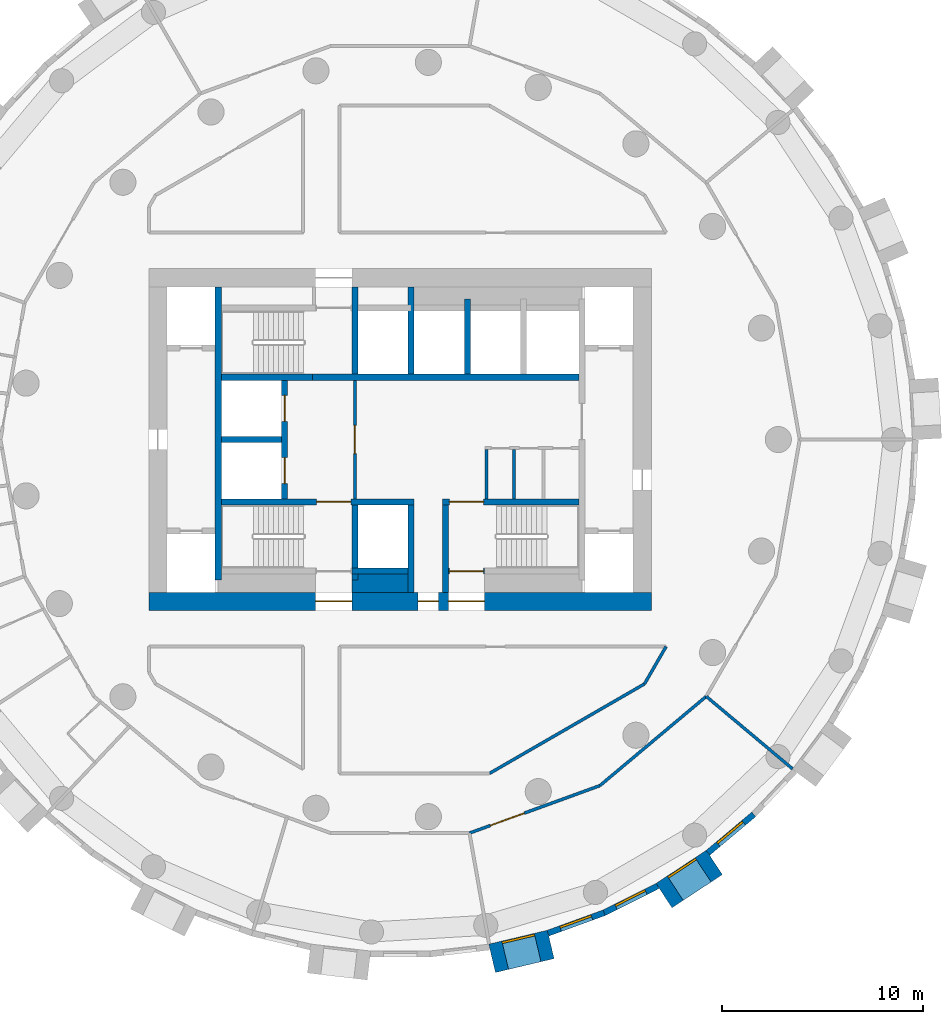
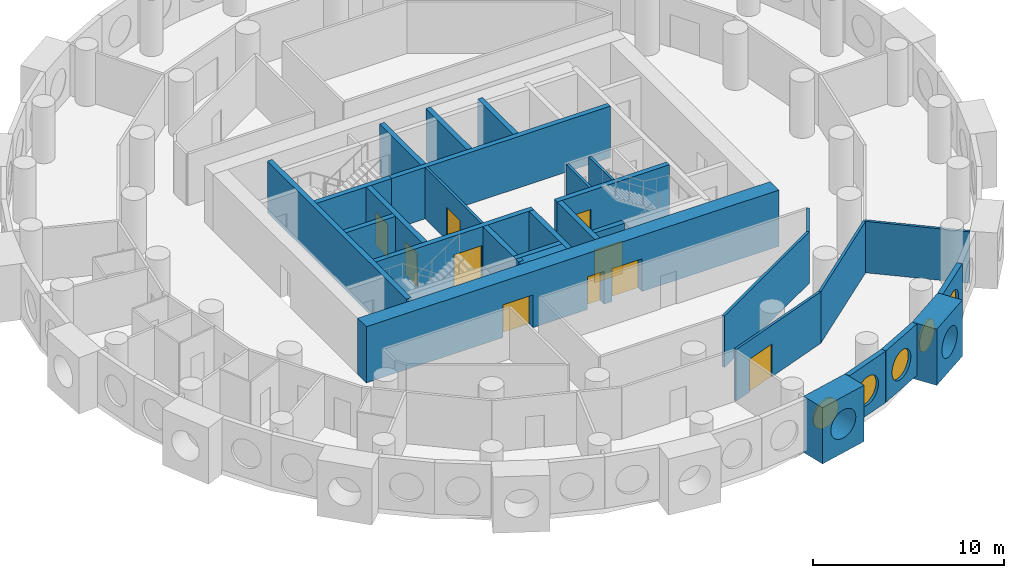
# One storey, part 4 of 9: 30 walls, 10 doors, 5 windows, 15 openings.
"""IFC4 building model written with IfcOpenShell, lengths in metres."""

from ifc_helpers import new_model, si_unit, direction, frame, frame_2d, origin, origin_2d, place, context, subcontext, project, spatial, rectangle, circle, extrude, material, layer, layer_set, type_object, element, fill, save


model = new_model("IFC4")

# Units and contexts
model_context = context("Model", 3, precision=1e-05, world=origin(), true_north=direction((0.0, 1.0)))
body_context = subcontext(model_context, "Body", "Model", "MODEL_VIEW")
ifc_project = project(units=[si_unit("LENGTHUNIT", "METRE"), si_unit("AREAUNIT", "SQUARE_METRE"), si_unit("VOLUMEUNIT", "CUBIC_METRE"), si_unit("PLANEANGLEUNIT", "RADIAN"), si_unit("MASSUNIT", "GRAM", prefix="KILO")], contexts=[model_context])

# Site, building, storey
site_placement = place(None, origin())
site = spatial("IfcSite", under=ifc_project, at=site_placement, CompositionType="ELEMENT")
building_placement = place(site_placement, origin())
building = spatial("IfcBuilding", under=site, at=building_placement, Name="Tracery Tower", CompositionType="ELEMENT")
storey_placement = place(building_placement, frame((0.0, 0.0, 201.60009765625)))
storey = spatial("IfcBuildingStorey", under=building, at=storey_placement, Name="L52", CompositionType="ELEMENT", Elevation=201.60009765625)

# Wall, opening, door
ifc_material_1 = material(Name="Plasterboard on steel studs", Category="steel")
ifc_layer_1 = layer(ifc_material_1, 0.14990234375)
ifc_layer_set_1 = layer_set([ifc_layer_1], Name="Core lobby partition 150")
wall_type_1 = type_object("IfcWallType", Name="Core lobby partition 150", PredefinedType="SOLIDWALL", material=ifc_layer_set_1)
wall_1_placement = place(storey_placement, frame((-2.25, -2.949951171875, 0.0), z_axis=(0.0, 0.0, 1.0), x_axis=(0.0, 1.0, 0.0)))
wall_1 = element("IfcWall", 1, at=wall_1_placement, inside=storey, type_object=wall_type_1, Name="L52 FF lobby E", PredefinedType="SOLIDWALL", context=body_context, shape_type="SweptSolid", body=[
    extrude(rectangle(XDim=5.89990234375, YDim=0.14990234375, at=frame_2d((2.949951171875, 0.0))), origin(), (0.0, 0.0, 1.0), 3.2998046875),
])
opening_1_placement = place(wall_1_placement, frame((2.25, 0.0, 0.0)))
opening_1 = element("IfcOpeningElement", 2, at=opening_1_placement, cuts=wall_1, Name="Opening KD8", PredefinedType="OPENING", context=body_context, shape_type="SweptSolid", body=[
    extrude(rectangle(XDim=1.39990234375, YDim=2.10009765625, at=frame_2d((0.699951171875, 1.050048828125))), frame((0.0, 0.074951171875, 0.0), z_axis=(0.0, -1.0, 0.0), x_axis=(1.0, 0.0, 0.0)), (0.0, 0.0, 1.0), 0.14990234375),
])
ifc_material_2 = material(Name="Steel fire door", Category="steel")
door_type_1 = type_object("IfcDoorType", Name="Core lobby door 1400 double", OperationType="NOTDEFINED", PredefinedType="DOOR", material=ifc_material_2)
door_1_placement = place(opening_1_placement, origin())
door_1 = element("IfcDoor", 3, at=door_1_placement, inside=storey, type_object=door_type_1, Name="Fire-fighting lobby door", OperationType="DOUBLE_DOOR_SINGLE_SWING", OverallHeight=2.10009765625, OverallWidth=1.39990234375, PredefinedType="DOOR", context=body_context, shape_type="SweptSolid", body=[
    extrude(rectangle(XDim=1.39990234375, YDim=2.10009765625, at=frame_2d((0.699951171875, 1.050048828125))), frame((0.0, 0.02490234375, 0.0), z_axis=(0.0, -1.0, 0.0), x_axis=(1.0, 0.0, 0.0)), (0.0, 0.0, 1.0), 0.050048828125),
])
fill(opening_1, door_1)

# Walls
ifc_material_3 = material(Name="Plasterboard on steel studs", Category="steel")
ifc_layer_2 = layer(ifc_material_3, 0.14990234375)
ifc_layer_set_2 = layer_set([ifc_layer_2], Name="Core room partition 150")
wall_type_2 = type_object("IfcWallType", Name="Core room partition 150", PredefinedType="SOLIDWALL", material=ifc_layer_set_2)
for number, where, z_axis, x_axis, name in (
    (4, (4.300048828125, -2.949951171875, 0.0), (0.0, 0.0, 1.0), (0.0, 1.0, 0.0), "L52 slot W"),
    (5, (5.675048828125, -2.949951171875, 0.0), (0.0, 0.0, 1.0), (0.0, 1.0, 0.0), "L52 slot sep 1"),
):
    element("IfcWall", number, at=place(storey_placement, frame(where, z_axis=z_axis, x_axis=x_axis)), inside=storey, type_object=wall_type_2, Name=name, PredefinedType="SOLIDWALL", context=body_context, shape_type="SweptSolid", body=[
        extrude(rectangle(XDim=2.449951171875, YDim=0.14990234375, at=frame_2d((1.22509765625, 0.0))), origin(), (0.0, 0.0, 1.0), 3.2998046875),
    ])
ifc_material_4 = material(Name="Concrete C50/60", Category="concrete")
ifc_layer_3 = layer(ifc_material_4, 0.89990234375)
ifc_layer_set_3 = layer_set([ifc_layer_3], Name="Core strip wall 900 C50")
wall_type_3 = type_object("IfcWallType", Name="Core strip wall 900 C50", PredefinedType="SOLIDWALL", material=ifc_layer_set_3)
wall_2_placement = place(storey_placement, frame((-2.39990234375, -7.14990234375, 0.0), z_axis=(0.0, 0.0, 1.0), x_axis=(1.0, 0.0, 0.0)))
element("IfcWall", 6, at=wall_2_placement, inside=storey, type_object=wall_type_3, Name="L52 F thick S mid", PredefinedType="SOLIDWALL", context=body_context, shape_type="SweptSolid", body=[
    extrude(rectangle(XDim=2.7998046875, YDim=0.89990234375, at=frame_2d((1.39990234375, 0.0))), origin(), (0.0, 0.0, 1.0), 3.2998046875),
])

# Wall, openings, doors
ifc_material_5 = material(Name="Concrete C50/60", Category="concrete")
ifc_layer_4 = layer(ifc_material_5, 0.89990234375)
ifc_layer_set_4 = layer_set([ifc_layer_4], Name="Core wall 900 C50")
wall_type_4 = type_object("IfcWallType", Name="Core wall 900 C50", PredefinedType="SOLIDWALL", material=ifc_layer_set_4)
wall_3_placement = place(storey_placement, frame((-12.5, -8.050048828125, 0.0), z_axis=(0.0, 0.0, 1.0), x_axis=(1.0, 0.0, 0.0)))
wall_3 = element("IfcWall", 7, at=wall_3_placement, inside=storey, type_object=wall_type_4, Name="L52 outer S", PredefinedType="SOLIDWALL", context=body_context, shape_type="SweptSolid", body=[
    extrude(rectangle(XDim=25.0, YDim=0.89990234375, at=frame_2d((12.5, 0.0))), origin(), (0.0, 0.0, 1.0), 3.599853515625),
])
opening_2_placement = place(wall_3_placement, frame((13.39990234375, 0.0, 0.0)))
opening_2 = element("IfcOpeningElement", 8, at=opening_2_placement, cuts=wall_3, Name="Opening KD16", PredefinedType="OPENING", context=body_context, shape_type="SweptSolid", body=[
    extrude(rectangle(XDim=1.0, YDim=2.10009765625, at=frame_2d((0.5, 1.050048828125))), frame((0.0, 0.449951171875, 0.0), z_axis=(0.0, -1.0, 0.0), x_axis=(1.0, 0.0, 0.0)), (0.0, 0.0, 1.0), 0.89990234375),
])
opening_3_placement = place(wall_3_placement, frame((8.300048828125, 0.0, 0.0)))
opening_3 = element("IfcOpeningElement", 9, at=opening_3_placement, cuts=wall_3, Name="Opening KD13", PredefinedType="OPENING", context=body_context, shape_type="SweptSolid", body=[
    extrude(rectangle(XDim=1.800048828125, YDim=2.10009765625, at=frame_2d((0.89990234375, 1.050048828125))), frame((0.0, 0.449951171875, 0.0), z_axis=(0.0, -1.0, 0.0), x_axis=(1.0, 0.0, 0.0)), (0.0, 0.0, 1.0), 0.89990234375),
])
opening_4_placement = place(wall_3_placement, frame((14.89990234375, 0.0, 0.0)))
opening_4 = element("IfcOpeningElement", 10, at=opening_4_placement, cuts=wall_3, Name="Opening KD13", PredefinedType="OPENING", context=body_context, shape_type="SweptSolid", body=[
    extrude(rectangle(XDim=1.800048828125, YDim=2.10009765625, at=frame_2d((0.89990234375, 1.050048828125))), frame((0.0, 0.449951171875, 0.0), z_axis=(0.0, -1.0, 0.0), x_axis=(1.0, 0.0, 0.0)), (0.0, 0.0, 1.0), 0.89990234375),
])
ifc_material_6 = material(Name="Steel fire door", Category="steel")
door_type_2 = type_object("IfcDoorType", Name="Core exit door 1000", OperationType="NOTDEFINED", PredefinedType="DOOR", material=ifc_material_6)
door_2_placement = place(opening_2_placement, origin())
door_2 = element("IfcDoor", 11, at=door_2_placement, inside=storey, type_object=door_type_2, Name="Core exit door", OperationType="SINGLE_SWING_LEFT", OverallHeight=2.10009765625, OverallWidth=1.0, PredefinedType="DOOR", context=body_context, shape_type="SweptSolid", body=[
    extrude(rectangle(XDim=1.0, YDim=2.10009765625, at=frame_2d((0.5, 1.050048828125))), frame((0.0, 0.02490234375, 0.0), z_axis=(0.0, -1.0, 0.0), x_axis=(1.0, 0.0, 0.0)), (0.0, 0.0, 1.0), 0.050048828125),
])
fill(opening_2, door_2)
ifc_material_7 = material(Name="Steel fire door", Category="steel")
door_type_3 = type_object("IfcDoorType", Name="Core exit door 1800 double", OperationType="NOTDEFINED", PredefinedType="DOOR", material=ifc_material_7)
door_3_placement = place(opening_3_placement, origin())
door_3 = element("IfcDoor", 12, at=door_3_placement, inside=storey, type_object=door_type_3, Name="Core exit door", OperationType="DOUBLE_DOOR_SINGLE_SWING", OverallHeight=2.10009765625, OverallWidth=1.800048828125, PredefinedType="DOOR", context=body_context, shape_type="SweptSolid", body=[
    extrude(rectangle(XDim=1.800048828125, YDim=2.10009765625, at=frame_2d((0.89990234375, 1.050048828125))), frame((0.0, 0.02490234375, 0.0), z_axis=(0.0, -1.0, 0.0), x_axis=(1.0, 0.0, 0.0)), (0.0, 0.0, 1.0), 0.050048828125),
])
fill(opening_3, door_3)
door_4_placement = place(opening_4_placement, origin())
door_4 = element("IfcDoor", 13, at=door_4_placement, inside=storey, type_object=door_type_3, Name="Core exit door", OperationType="DOUBLE_DOOR_SINGLE_SWING", OverallHeight=2.10009765625, OverallWidth=1.800048828125, PredefinedType="DOOR", context=body_context, shape_type="SweptSolid", body=[
    extrude(rectangle(XDim=1.800048828125, YDim=2.10009765625, at=frame_2d((0.89990234375, 1.050048828125))), frame((0.0, 0.02490234375, 0.0), z_axis=(0.0, -1.0, 0.0), x_axis=(1.0, 0.0, 0.0)), (0.0, 0.0, 1.0), 0.050048828125),
])
fill(opening_4, door_4)

# Wall, opening, window
ifc_material_8 = material(Name="Precast concrete C50/60", Category="concrete")
ifc_layer_5 = layer(ifc_material_8, 1.449951171875)
ifc_layer_set_5 = layer_set([ifc_layer_5], Name="Deep-set bay unit 3000 x 3600, slab edge 300")
wall_type_5 = type_object("IfcWallType", Name="Deep-set bay unit 3000 x 3600, slab edge 300", PredefinedType="ELEMENTEDWALL", material=ifc_layer_set_5)
wall_4_placement = place(storey_placement, frame((4.57763671875, -25.8193359375, -0.300048828125), z_axis=(0.0, 0.0, 1.0), x_axis=(0.973042333261, 0.23062657627, 0.0)))
wall_4 = element("IfcWall", 14, at=wall_4_placement, inside=storey, type_object=wall_type_5, Name="Deep-set bay unit 43 at L52", PredefinedType="ELEMENTEDWALL", context=body_context, shape_type="SweptSolid", body=[
    extrude(rectangle(XDim=3.0, YDim=1.449951171875, at=frame_2d((1.5, 0.0))), origin(), (0.0, 0.0, 1.0), 3.599853515625),
])
opening_5_placement = place(wall_4_placement, frame((1.5, 0.0, 1.85009765625)))
opening_5 = element("IfcOpeningElement", 15, at=opening_5_placement, cuts=wall_4, Name="Opening WN1", PredefinedType="OPENING", context=body_context, shape_type="SweptSolid", body=[
    extrude(circle(Radius=0.9000244140625, at=origin_2d()), frame((0.0, 0.73486328125, 0.0), z_axis=(0.0, -1.0, 0.0), x_axis=(1.0, 0.0, 0.0)), (0.0, 0.0, 1.0), 1.469970703125),
])
ifc_material_9 = material(Name="Aluminium frame with tinted double glazing", Category="aluminium")
window_type = type_object("IfcWindowType", Name="Round window 1800", PartitioningType="SINGLE_PANEL", PredefinedType="WINDOW", material=ifc_material_9)
window_1_placement = place(opening_5_placement, origin())
window_1 = element("IfcWindow", 16, at=window_1_placement, inside=storey, type_object=window_type, Name="Round window 43 at L52", OverallHeight=1.800048828125, OverallWidth=1.800048828125, PartitioningType="SINGLE_PANEL", PredefinedType="WINDOW", context=body_context, shape_type="SweptSolid", body=[
    extrude(circle(Radius=0.9000244140625, at=origin_2d()), frame((0.0, 0.69482421875, 0.0), z_axis=(0.0, -1.0, 0.0), x_axis=(1.0, 0.0, 0.0)), (0.0, 0.0, 1.0), 0.10009765625),
])
fill(opening_5, window_1)

wall_5_placement = place(storey_placement, frame((13.13232421875, -22.696533203125, -0.300048828125), z_axis=(0.0, 0.0, 1.0), x_axis=(0.835514416706, 0.549468524554, 0.0)))
wall_5 = element("IfcWall", 17, at=wall_5_placement, inside=storey, type_object=wall_type_5, Name="Deep-set bay unit 46 at L52", PredefinedType="ELEMENTEDWALL", context=body_context, shape_type="SweptSolid", body=[
    extrude(rectangle(XDim=3.0, YDim=1.449951171875, at=frame_2d((1.5, 0.0))), origin(), (0.0, 0.0, 1.0), 3.599853515625),
])
opening_6_placement = place(wall_5_placement, frame((1.5, 0.0, 1.85009765625)))
opening_6 = element("IfcOpeningElement", 18, at=opening_6_placement, cuts=wall_5, Name="Opening WN1", PredefinedType="OPENING", context=body_context, shape_type="SweptSolid", body=[
    extrude(circle(Radius=0.9000244140625, at=origin_2d()), frame((0.0, 0.73486328125, 0.0), z_axis=(0.0, -1.0, 0.0), x_axis=(1.0, 0.0, 0.0)), (0.0, 0.0, 1.0), 1.469970703125),
])
window_2_placement = place(opening_6_placement, origin())
window_2 = element("IfcWindow", 19, at=window_2_placement, inside=storey, type_object=window_type, Name="Round window 46 at L52", OverallHeight=1.800048828125, OverallWidth=1.800048828125, PartitioningType="SINGLE_PANEL", PredefinedType="WINDOW", context=body_context, shape_type="SweptSolid", body=[
    extrude(circle(Radius=0.9000244140625, at=origin_2d()), frame((0.0, 0.69482421875, 0.0), z_axis=(0.0, -1.0, 0.0), x_axis=(1.0, 0.0, 0.0)), (0.0, 0.0, 1.0), 0.10009765625),
])
fill(opening_6, window_2)

ifc_material_10 = material(Name="Precast concrete C50/60", Category="concrete")
ifc_layer_6 = layer(ifc_material_10, 0.300048828125)
ifc_layer_set_6 = layer_set([ifc_layer_6], Name="Facade panel 3000 x 3300")
wall_type_6 = type_object("IfcWallType", Name="Facade panel 3000 x 3300", PredefinedType="SOLIDWALL", material=ifc_layer_set_6)
wall_6_placement = place(storey_placement, frame((7.36474609375, -24.566650390625, 0.0), z_axis=(0.0, 0.0, 1.0), x_axis=(0.939690282133, 0.342026568652, 0.0)))
wall_6 = element("IfcWall", 20, at=wall_6_placement, inside=storey, type_object=wall_type_6, Name="Facade panel 44 at L52", PredefinedType="SOLIDWALL", context=body_context, shape_type="SweptSolid", body=[
    extrude(rectangle(XDim=2.972900390625, YDim=0.300048828125, at=frame_2d((1.486328125, 0.0))), origin(), (0.0, 0.0, 1.0), 3.2998046875),
])
opening_7_placement = place(wall_6_placement, frame((1.486328125, 0.0, 1.5498046875)))
opening_7 = element("IfcOpeningElement", 21, at=opening_7_placement, cuts=wall_6, Name="Opening WN1", PredefinedType="OPENING", context=body_context, shape_type="SweptSolid", body=[
    extrude(circle(Radius=0.9000244140625, at=origin_2d()), frame((0.0, 0.159912109375, 0.0), z_axis=(0.0, -1.0, 0.0), x_axis=(1.0, 0.0, 0.0)), (0.0, 0.0, 1.0), 0.320068359375),
])
window_3_placement = place(opening_7_placement, origin())
window_3 = element("IfcWindow", 22, at=window_3_placement, inside=storey, type_object=window_type, Name="Round window 44 at L52", OverallHeight=1.800048828125, OverallWidth=1.800048828125, PartitioningType="SINGLE_PANEL", PredefinedType="WINDOW", context=body_context, shape_type="SweptSolid", body=[
    extrude(circle(Radius=0.9000244140625, at=origin_2d()), frame((0.0, 0.1201171875, 0.0), z_axis=(0.0, -1.0, 0.0), x_axis=(1.0, 0.0, 0.0)), (0.0, 0.0, 1.0), 0.10009765625),
])
fill(opening_7, window_3)

wall_7_placement = place(storey_placement, frame((10.158447265625, -23.5498046875, 0.0), z_axis=(0.0, 0.0, 1.0), x_axis=(0.893637442555, 0.448789618045, 0.0)))
wall_7 = element("IfcWall", 23, at=wall_7_placement, inside=storey, type_object=wall_type_6, Name="Facade panel 45 at L52", PredefinedType="SOLIDWALL", context=body_context, shape_type="SweptSolid", body=[
    extrude(rectangle(XDim=2.972900390625, YDim=0.300048828125, at=frame_2d((1.486328125, 0.0))), origin(), (0.0, 0.0, 1.0), 3.2998046875),
])
opening_8_placement = place(wall_7_placement, frame((1.486328125, 0.0, 1.5498046875)))
opening_8 = element("IfcOpeningElement", 24, at=opening_8_placement, cuts=wall_7, Name="Opening WN1", PredefinedType="OPENING", context=body_context, shape_type="SweptSolid", body=[
    extrude(circle(Radius=0.9000244140625, at=origin_2d()), frame((0.0, 0.159912109375, 0.0), z_axis=(0.0, -1.0, 0.0), x_axis=(1.0, 0.0, 0.0)), (0.0, 0.0, 1.0), 0.320068359375),
])
window_4_placement = place(opening_8_placement, origin())
window_4 = element("IfcWindow", 25, at=window_4_placement, inside=storey, type_object=window_type, Name="Round window 45 at L52", OverallHeight=1.800048828125, OverallWidth=1.800048828125, PartitioningType="SINGLE_PANEL", PredefinedType="WINDOW", context=body_context, shape_type="SweptSolid", body=[
    extrude(circle(Radius=0.9000244140625, at=origin_2d()), frame((0.0, 0.1201171875, 0.0), z_axis=(0.0, -1.0, 0.0), x_axis=(1.0, 0.0, 0.0)), (0.0, 0.0, 1.0), 0.10009765625),
])
fill(opening_8, window_4)

wall_8_placement = place(storey_placement, frame((15.322998046875, -20.566162109375, 0.0), z_axis=(0.0, 0.0, 1.0), x_axis=(0.766049350637, 0.642781761089, 0.0)))
wall_8 = element("IfcWall", 26, at=wall_8_placement, inside=storey, type_object=wall_type_6, Name="Facade panel 47 at L52", PredefinedType="SOLIDWALL", context=body_context, shape_type="SweptSolid", body=[
    extrude(rectangle(XDim=2.972900390625, YDim=0.300048828125, at=frame_2d((1.486328125, 0.0))), origin(), (0.0, 0.0, 1.0), 3.2998046875),
])
opening_9_placement = place(wall_8_placement, frame((1.486328125, 0.0, 1.5498046875)))
opening_9 = element("IfcOpeningElement", 27, at=opening_9_placement, cuts=wall_8, Name="Opening WN1", PredefinedType="OPENING", context=body_context, shape_type="SweptSolid", body=[
    extrude(circle(Radius=0.9000244140625, at=origin_2d()), frame((0.0, 0.159912109375, 0.0), z_axis=(0.0, -1.0, 0.0), x_axis=(1.0, 0.0, 0.0)), (0.0, 0.0, 1.0), 0.320068359375),
])
window_5_placement = place(opening_9_placement, origin())
window_5 = element("IfcWindow", 28, at=window_5_placement, inside=storey, type_object=window_type, Name="Round window 47 at L52", OverallHeight=1.800048828125, OverallWidth=1.800048828125, PartitioningType="SINGLE_PANEL", PredefinedType="WINDOW", context=body_context, shape_type="SweptSolid", body=[
    extrude(circle(Radius=0.9000244140625, at=origin_2d()), frame((0.0, 0.1201171875, 0.0), z_axis=(0.0, -1.0, 0.0), x_axis=(1.0, 0.0, 0.0)), (0.0, 0.0, 1.0), 0.10009765625),
])
fill(opening_9, window_5)

# Walls
ifc_material_11 = material(Name="Plasterboard on steel studs", Category="steel")
ifc_layer_7 = layer(ifc_material_11, 0.14990234375)
ifc_layer_set_7 = layer_set([ifc_layer_7], Name="Partition 150 acoustic unit wall")
wall_type_7 = type_object("IfcWallType", Name="Partition 150 acoustic unit wall", PredefinedType="PARTITIONING", material=ifc_layer_set_7)
wall_9_placement = place(storey_placement, frame((15.235107421875, -12.783935546875, 0.0), z_axis=(0.0, 0.0, 1.0), x_axis=(0.76609059793, -0.642732600514, 0.0)))
element("IfcWall", 29, at=wall_9_placement, inside=storey, type_object=wall_type_7, Name="Unit wall RB8-063", PredefinedType="PARTITIONING", context=body_context, shape_type="SweptSolid", body=[
    extrude(rectangle(XDim=5.60888671875, YDim=0.14990234375, at=frame_2d((2.804443359375, 0.0))), origin(), (0.0, 0.0, 1.0), 3.2998046875),
])
ifc_material_12 = material(Name="Plasterboard on steel studs", Category="steel")
ifc_layer_8 = layer(ifc_material_12, 0.14990234375)
ifc_layer_set_8 = layer_set([ifc_layer_8], Name="Partition 150 corridor wall")
wall_type_8 = type_object("IfcWallType", Name="Partition 150 corridor wall", PredefinedType="PARTITIONING", material=ifc_layer_set_8)
wall_10_placement = place(storey_placement, frame((12.162109375, -12.162109375, 0.0), z_axis=(0.0, 0.0, 1.0), x_axis=(0.499961633463, 0.866047553582, 0.0)))
element("IfcWall", 30, at=wall_10_placement, inside=storey, type_object=wall_type_8, Name="Corridor wall RB8-006", PredefinedType="PARTITIONING", context=body_context, shape_type="SweptSolid", body=[
    extrude(rectangle(XDim=2.150146484375, YDim=0.14990234375, at=frame_2d((1.0751953125, 0.0))), origin(), (0.0, 0.0, 1.0), 3.2998046875),
])
wall_11_placement = place(storey_placement, frame((9.943359375, -17.22216796875, 0.0), z_axis=(0.0, 0.0, 1.0), x_axis=(0.766192104565, 0.642611592567, 0.0)))
element("IfcWall", 31, at=wall_11_placement, inside=storey, type_object=wall_type_8, Name="Corridor wall RB8-010", PredefinedType="PARTITIONING", context=body_context, shape_type="SweptSolid", body=[
    extrude(rectangle(XDim=6.906494140625, YDim=0.14990234375, at=frame_2d((3.453125, 0.0))), origin(), (0.0, 0.0, 1.0), 3.2998046875),
])
wall_12_placement = place(storey_placement, frame((4.451904296875, -16.614013671875, 0.0), z_axis=(0.0, 0.0, 1.0), x_axis=(0.866005203721, 0.500034985904, 0.0)))
element("IfcWall", 32, at=wall_12_placement, inside=storey, type_object=wall_type_8, Name="Corridor wall RB8-036", PredefinedType="PARTITIONING", context=body_context, shape_type="SweptSolid", body=[
    extrude(rectangle(XDim=8.903076171875, YDim=0.14990234375, at=frame_2d((4.45166015625, 0.0))), origin(), (0.0, 0.0, 1.0), 3.2998046875),
])

# Wall, opening, door
wall_13_placement = place(storey_placement, frame((3.452880859375, -19.5859375, 0.0), z_axis=(0.0, 0.0, 1.0), x_axis=(0.939672634566, 0.342075050021, 0.0)))
wall_13 = element("IfcWall", 33, at=wall_13_placement, inside=storey, type_object=wall_type_8, Name="Corridor wall RB8-039", PredefinedType="PARTITIONING", context=body_context, shape_type="SweptSolid", body=[
    extrude(rectangle(XDim=6.907958984375, YDim=0.14990234375, at=frame_2d((3.4541015625, 0.0))), origin(), (0.0, 0.0, 1.0), 3.2998046875),
])
opening_10_placement = place(wall_13_placement, frame((1.103759765625, 0.0, 0.0)))
opening_10 = element("IfcOpeningElement", 34, at=opening_10_placement, cuts=wall_13, Name="Opening RB8-21", PredefinedType="OPENING", context=body_context, shape_type="SweptSolid", body=[
    extrude(rectangle(XDim=1.800048828125, YDim=2.10009765625, at=frame_2d((0.89990234375, 1.050048828125))), frame((0.0, 0.074951171875, 0.0), z_axis=(0.0, -1.0, 0.0), x_axis=(1.0, 0.0, 0.0)), (0.0, 0.0, 1.0), 0.14990234375),
])
ifc_material_13 = material(Name="Timber door leaf", Category="wood")
door_type_4 = type_object("IfcDoorType", Name="Door double lounge 1800", OperationType="NOTDEFINED", PredefinedType="DOOR", material=ifc_material_13)
door_5_placement = place(opening_10_placement, origin())
door_5 = element("IfcDoor", 35, at=door_5_placement, inside=storey, type_object=door_type_4, Name="Double lounge door RB8-21", OperationType="DOUBLE_DOOR_SINGLE_SWING", OverallHeight=2.10009765625, OverallWidth=1.800048828125, PredefinedType="DOOR", context=body_context, shape_type="SweptSolid", body=[
    extrude(rectangle(XDim=1.800048828125, YDim=2.10009765625, at=frame_2d((0.89990234375, 1.050048828125))), frame((0.0, 0.02490234375, 0.0), z_axis=(0.0, -1.0, 0.0), x_axis=(1.0, 0.0, 0.0)), (0.0, 0.0, 1.0), 0.050048828125),
])
fill(opening_10, door_5)

# Wall
ifc_material_14 = material(Name="Concrete C50/60", Category="concrete")
ifc_layer_9 = layer(ifc_material_14, 0.300048828125)
ifc_layer_set_9 = layer_set([ifc_layer_9], Name="Shaft wall 300 C50")
wall_type_9 = type_object("IfcWallType", Name="Shaft wall 300 C50", PredefinedType="SOLIDWALL", material=ifc_layer_set_9)
wall_14_placement = place(storey_placement, frame((-8.89990234375, 0.0, 0.0), z_axis=(0.0, 0.0, 1.0), x_axis=(1.0, 0.0, 0.0)))
element("IfcWall", 36, at=wall_14_placement, inside=storey, type_object=wall_type_9, Name="L52 FF split", PredefinedType="SOLIDWALL", context=body_context, shape_type="SweptSolid", body=[
    extrude(rectangle(XDim=3.0, YDim=0.300048828125, at=frame_2d((1.5, 0.0))), origin(), (0.0, 0.0, 1.0), 3.2998046875),
])

# Wall, openings, doors
wall_15_placement = place(storey_placement, frame((-5.75, -2.949951171875, 0.0), z_axis=(0.0, 0.0, 1.0), x_axis=(0.0, 1.0, 0.0)))
wall_15 = element("IfcWall", 37, at=wall_15_placement, inside=storey, type_object=wall_type_9, Name="L52 FF doors", PredefinedType="SOLIDWALL", context=body_context, shape_type="SweptSolid", body=[
    extrude(rectangle(XDim=5.89990234375, YDim=0.300048828125, at=frame_2d((2.949951171875, 0.0))), origin(), (0.0, 0.0, 1.0), 3.2998046875),
])
opening_11_placement = place(wall_15_placement, frame((0.75, 0.0, 0.0)))
opening_11 = element("IfcOpeningElement", 38, at=opening_11_placement, cuts=wall_15, Name="Opening KD54", PredefinedType="OPENING", context=body_context, shape_type="SweptSolid", body=[
    extrude(rectangle(XDim=1.300048828125, YDim=2.10009765625, at=frame_2d((0.64990234375, 1.050048828125))), frame((0.0, 0.14990234375, 0.0), z_axis=(0.0, -1.0, 0.0), x_axis=(1.0, 0.0, 0.0)), (0.0, 0.0, 1.0), 0.300048828125),
])
opening_12_placement = place(wall_15_placement, frame((3.85009765625, 0.0, 0.0)))
opening_12 = element("IfcOpeningElement", 39, at=opening_12_placement, cuts=wall_15, Name="Opening KD55", PredefinedType="OPENING", context=body_context, shape_type="SweptSolid", body=[
    extrude(rectangle(XDim=1.300048828125, YDim=2.10009765625, at=frame_2d((0.64990234375, 1.050048828125))), frame((0.0, 0.14990234375, 0.0), z_axis=(0.0, -1.0, 0.0), x_axis=(1.0, 0.0, 0.0)), (0.0, 0.0, 1.0), 0.300048828125),
])
ifc_material_15 = material(Name="Steel fire door", Category="steel")
door_type_5 = type_object("IfcDoorType", Name="Landing door FF 1300", OperationType="NOTDEFINED", PredefinedType="DOOR", material=ifc_material_15)
door_6_placement = place(opening_11_placement, origin())
door_6 = element("IfcDoor", 40, at=door_6_placement, inside=storey, type_object=door_type_5, Name="Landing door FF1", OperationType="SLIDING_TO_LEFT", OverallHeight=2.10009765625, OverallWidth=1.300048828125, PredefinedType="DOOR", context=body_context, shape_type="SweptSolid", body=[
    extrude(rectangle(XDim=1.300048828125, YDim=2.10009765625, at=frame_2d((0.64990234375, 1.050048828125))), frame((0.0, 0.02490234375, 0.0), z_axis=(0.0, -1.0, 0.0), x_axis=(1.0, 0.0, 0.0)), (0.0, 0.0, 1.0), 0.050048828125),
])
fill(opening_11, door_6)
door_7_placement = place(opening_12_placement, origin())
door_7 = element("IfcDoor", 41, at=door_7_placement, inside=storey, type_object=door_type_5, Name="Landing door FF2", OperationType="SLIDING_TO_RIGHT", OverallHeight=2.10009765625, OverallWidth=1.300048828125, PredefinedType="DOOR", context=body_context, shape_type="SweptSolid", body=[
    extrude(rectangle(XDim=1.300048828125, YDim=2.10009765625, at=frame_2d((0.64990234375, 1.050048828125))), frame((0.0, 0.02490234375, 0.0), z_axis=(0.0, -1.0, 0.0), x_axis=(1.0, 0.0, 0.0)), (0.0, 0.0, 1.0), 0.050048828125),
])
fill(opening_12, door_7)

# Walls
for number, where, z_axis, x_axis, name in (
    (42, (0.550048828125, -7.60009765625, 0.0), (0.0, 0.0, 1.0), (0.0, 1.0, 0.0), "L52 OB2 E"),
    (43, (0.550048828125, 3.25, 0.0), (0.0, 0.0, 1.0), (0.0, 1.0, 0.0), "L52 HR sep 1"),
):
    element("IfcWall", number, at=place(storey_placement, frame(where, z_axis=z_axis, x_axis=x_axis)), inside=storey, type_object=wall_type_9, Name=name, PredefinedType="SOLIDWALL", context=body_context, shape_type="SweptSolid", body=[
        extrude(rectangle(XDim=4.35009765625, YDim=0.300048828125, at=frame_2d((2.175048828125, 0.0))), origin(), (0.0, 0.0, 1.0), 3.2998046875),
    ])
wall_16_placement = place(storey_placement, frame((3.35009765625, 3.25, 0.0), z_axis=(0.0, 0.0, 1.0), x_axis=(0.0, 1.0, 0.0)))
element("IfcWall", 44, at=wall_16_placement, inside=storey, type_object=wall_type_9, Name="L52 HR sep 2", PredefinedType="SOLIDWALL", context=body_context, shape_type="SweptSolid", body=[
    extrude(rectangle(XDim=3.75, YDim=0.300048828125, at=frame_2d((1.875, 0.0))), origin(), (0.0, 0.0, 1.0), 3.2998046875),
])

# Wall, opening, door
ifc_material_16 = material(Name="Concrete C50/60", Category="concrete")
ifc_layer_10 = layer(ifc_material_16, 0.300048828125)
ifc_layer_set_10 = layer_set([ifc_layer_10], Name="Stair wall 300 C50")
wall_type_10 = type_object("IfcWallType", Name="Stair wall 300 C50", PredefinedType="SOLIDWALL", material=ifc_layer_set_10)
wall_17_placement = place(storey_placement, frame((-8.89990234375, -3.10009765625, 0.0), z_axis=(0.0, 0.0, 1.0), x_axis=(1.0, 0.0, 0.0)))
wall_17 = element("IfcWall", 45, at=wall_17_placement, inside=storey, type_object=wall_type_10, Name="L52 row S", PredefinedType="SOLIDWALL", context=body_context, shape_type="SweptSolid", body=[
    extrude(rectangle(XDim=9.599853515625, YDim=0.300048828125, at=frame_2d((4.7998046875, 0.0))), origin(), (0.0, 0.0, 1.0), 3.2998046875),
])
opening_13_placement = place(wall_17_placement, frame((4.75, 0.0, 0.0)))
opening_13 = element("IfcOpeningElement", 46, at=opening_13_placement, cuts=wall_17, Name="Opening KD3", PredefinedType="OPENING", context=body_context, shape_type="SweptSolid", body=[
    extrude(rectangle(XDim=1.699951171875, YDim=2.10009765625, at=frame_2d((0.85009765625, 1.050048828125))), frame((0.0, 0.14990234375, 0.0), z_axis=(0.0, -1.0, 0.0), x_axis=(1.0, 0.0, 0.0)), (0.0, 0.0, 1.0), 0.300048828125),
])
ifc_material_17 = material(Name="Steel fire door", Category="steel")
door_type_6 = type_object("IfcDoorType", Name="Core stair door 1700 double", OperationType="NOTDEFINED", PredefinedType="DOOR", material=ifc_material_17)
door_8_placement = place(opening_13_placement, origin())
door_8 = element("IfcDoor", 47, at=door_8_placement, inside=storey, type_object=door_type_6, Name="Stair door ST1", OperationType="DOUBLE_DOOR_SINGLE_SWING", OverallHeight=2.10009765625, OverallWidth=1.699951171875, PredefinedType="DOOR", context=body_context, shape_type="SweptSolid", body=[
    extrude(rectangle(XDim=1.699951171875, YDim=2.10009765625, at=frame_2d((0.85009765625, 1.050048828125))), frame((0.0, 0.02490234375, 0.0), z_axis=(0.0, -1.0, 0.0), x_axis=(1.0, 0.0, 0.0)), (0.0, 0.0, 1.0), 0.050048828125),
])
fill(opening_13, door_8)

wall_18_placement = place(storey_placement, frame((2.10009765625, -3.10009765625, 0.0), z_axis=(0.0, 0.0, 1.0), x_axis=(1.0, 0.0, 0.0)))
wall_18 = element("IfcWall", 48, at=wall_18_placement, inside=storey, type_object=wall_type_10, Name="L52 row S E", PredefinedType="SOLIDWALL", context=body_context, shape_type="SweptSolid", body=[
    extrude(rectangle(XDim=6.7998046875, YDim=0.300048828125, at=frame_2d((3.39990234375, 0.0))), origin(), (0.0, 0.0, 1.0), 3.2998046875),
])
opening_14_placement = place(wall_18_placement, frame((0.35009765625, 0.0, 0.0)))
opening_14 = element("IfcOpeningElement", 49, at=opening_14_placement, cuts=wall_18, Name="Opening KD3", PredefinedType="OPENING", context=body_context, shape_type="SweptSolid", body=[
    extrude(rectangle(XDim=1.699951171875, YDim=2.10009765625, at=frame_2d((0.85009765625, 1.050048828125))), frame((0.0, 0.14990234375, 0.0), z_axis=(0.0, -1.0, 0.0), x_axis=(1.0, 0.0, 0.0)), (0.0, 0.0, 1.0), 0.300048828125),
])
door_9_placement = place(opening_14_placement, origin())
door_9 = element("IfcDoor", 50, at=door_9_placement, inside=storey, type_object=door_type_6, Name="Stair door ST2", OperationType="DOUBLE_DOOR_SINGLE_SWING", OverallHeight=2.10009765625, OverallWidth=1.699951171875, PredefinedType="DOOR", context=body_context, shape_type="SweptSolid", body=[
    extrude(rectangle(XDim=1.699951171875, YDim=2.10009765625, at=frame_2d((0.85009765625, 1.050048828125))), frame((0.0, 0.02490234375, 0.0), z_axis=(0.0, -1.0, 0.0), x_axis=(1.0, 0.0, 0.0)), (0.0, 0.0, 1.0), 0.050048828125),
])
fill(opening_14, door_9)

# Walls
wall_19_placement = place(storey_placement, frame((-8.89990234375, 3.10009765625, 0.0), z_axis=(0.0, 0.0, 1.0), x_axis=(1.0, 0.0, 0.0)))
element("IfcWall", 51, at=wall_19_placement, inside=storey, type_object=wall_type_10, Name="L52 row N W", PredefinedType="SOLIDWALL", context=body_context, shape_type="SweptSolid", body=[
    extrude(rectangle(XDim=4.5498046875, YDim=0.300048828125, at=frame_2d((2.27490234375, 0.0))), origin(), (0.0, 0.0, 1.0), 3.2998046875),
])
wall_20_placement = place(storey_placement, frame((-4.35009765625, 3.10009765625, 0.0), z_axis=(0.0, 0.0, 1.0), x_axis=(1.0, 0.0, 0.0)))
element("IfcWall", 52, at=wall_20_placement, inside=storey, type_object=wall_type_10, Name="L52 row N", PredefinedType="SOLIDWALL", context=body_context, shape_type="SweptSolid", body=[
    extrude(rectangle(XDim=13.25, YDim=0.300048828125, at=frame_2d((6.625, 0.0))), origin(), (0.0, 0.0, 1.0), 3.2998046875),
])
wall_21_placement = place(storey_placement, frame((-2.25, -7.0, 0.0), z_axis=(0.0, 0.0, 1.0), x_axis=(0.0, 1.0, 0.0)))
element("IfcWall", 53, at=wall_21_placement, inside=storey, type_object=wall_type_10, Name="L52 ST1 E", PredefinedType="SOLIDWALL", context=body_context, shape_type="SweptSolid", body=[
    extrude(rectangle(XDim=3.75, YDim=0.300048828125, at=frame_2d((1.875, 0.0))), origin(), (0.0, 0.0, 1.0), 3.2998046875),
])
for number, where, z_axis, x_axis, name in (
    (54, (-2.25, 3.25, 0.0), (0.0, 0.0, 1.0), (0.0, 1.0, 0.0), "L52 ST3 E"),
    (55, (2.25, -7.60009765625, 0.0), (0.0, 0.0, 1.0), (0.0, 1.0, 0.0), "L52 ST2 W"),
):
    element("IfcWall", number, at=place(storey_placement, frame(where, z_axis=z_axis, x_axis=x_axis)), inside=storey, type_object=wall_type_10, Name=name, PredefinedType="SOLIDWALL", context=body_context, shape_type="SweptSolid", body=[
        extrude(rectangle(XDim=4.35009765625, YDim=0.300048828125, at=frame_2d((2.175048828125, 0.0))), origin(), (0.0, 0.0, 1.0), 3.2998046875),
    ])
wall_22_placement = place(storey_placement, frame((-9.050048828125, -7.0, 0.0), z_axis=(0.0, 0.0, 1.0), x_axis=(0.0, 1.0, 0.0)))
element("IfcWall", 56, at=wall_22_placement, inside=storey, type_object=wall_type_10, Name="L52 F wall -9", PredefinedType="SOLIDWALL", context=body_context, shape_type="SweptSolid", body=[
    extrude(rectangle(XDim=14.60009765625, YDim=0.300048828125, at=frame_2d((7.300048828125, 0.0))), origin(), (0.0, 0.0, 1.0), 3.2998046875),
])
wall_23_placement = place(storey_placement, frame((-2.39990234375, -6.550048828125, 0.0), z_axis=(0.0, 0.0, 1.0), x_axis=(1.0, 0.0, 0.0)))
element("IfcWall", 57, at=wall_23_placement, inside=storey, type_object=wall_type_10, Name="L52 F stair strip S mid", PredefinedType="SOLIDWALL", context=body_context, shape_type="SweptSolid", body=[
    extrude(rectangle(XDim=2.7998046875, YDim=0.300048828125, at=frame_2d((1.39990234375, 0.0))), origin(), (0.0, 0.0, 1.0), 3.2998046875),
])

# Wall, opening, door
wall_24_placement = place(storey_placement, frame((2.39990234375, -6.550048828125, 0.0), z_axis=(0.0, 0.0, 1.0), x_axis=(1.0, 0.0, 0.0)))
wall_24 = element("IfcWall", 58, at=wall_24_placement, inside=storey, type_object=wall_type_10, Name="L52 F stair S E", PredefinedType="SOLIDWALL", context=body_context, shape_type="SweptSolid", body=[
    extrude(rectangle(XDim=1.800048828125, YDim=0.300048828125, at=frame_2d((0.89990234375, 0.0))), origin(), (0.0, 0.0, 1.0), 3.2998046875),
])
opening_15_placement = place(wall_24_placement, frame((0.050048828125, 0.0, 0.0)))
opening_15 = element("IfcOpeningElement", 59, at=opening_15_placement, cuts=wall_24, Name="Opening KD3", PredefinedType="OPENING", context=body_context, shape_type="SweptSolid", body=[
    extrude(rectangle(XDim=1.699951171875, YDim=2.10009765625, at=frame_2d((0.85009765625, 1.050048828125))), frame((0.0, 0.14990234375, 0.0), z_axis=(0.0, -1.0, 0.0), x_axis=(1.0, 0.0, 0.0)), (0.0, 0.0, 1.0), 0.300048828125),
])
door_10_placement = place(opening_15_placement, origin())
door_10 = element("IfcDoor", 60, at=door_10_placement, inside=storey, type_object=door_type_6, Name="Stair door vest", OperationType="DOUBLE_DOOR_SINGLE_SWING", OverallHeight=2.10009765625, OverallWidth=1.699951171875, PredefinedType="DOOR", context=body_context, shape_type="SweptSolid", body=[
    extrude(rectangle(XDim=1.699951171875, YDim=2.10009765625, at=frame_2d((0.85009765625, 1.050048828125))), frame((0.0, 0.02490234375, 0.0), z_axis=(0.0, -1.0, 0.0), x_axis=(1.0, 0.0, 0.0)), (0.0, 0.0, 1.0), 0.050048828125),
])
fill(opening_15, door_10)

save(model, "model.ifc")
